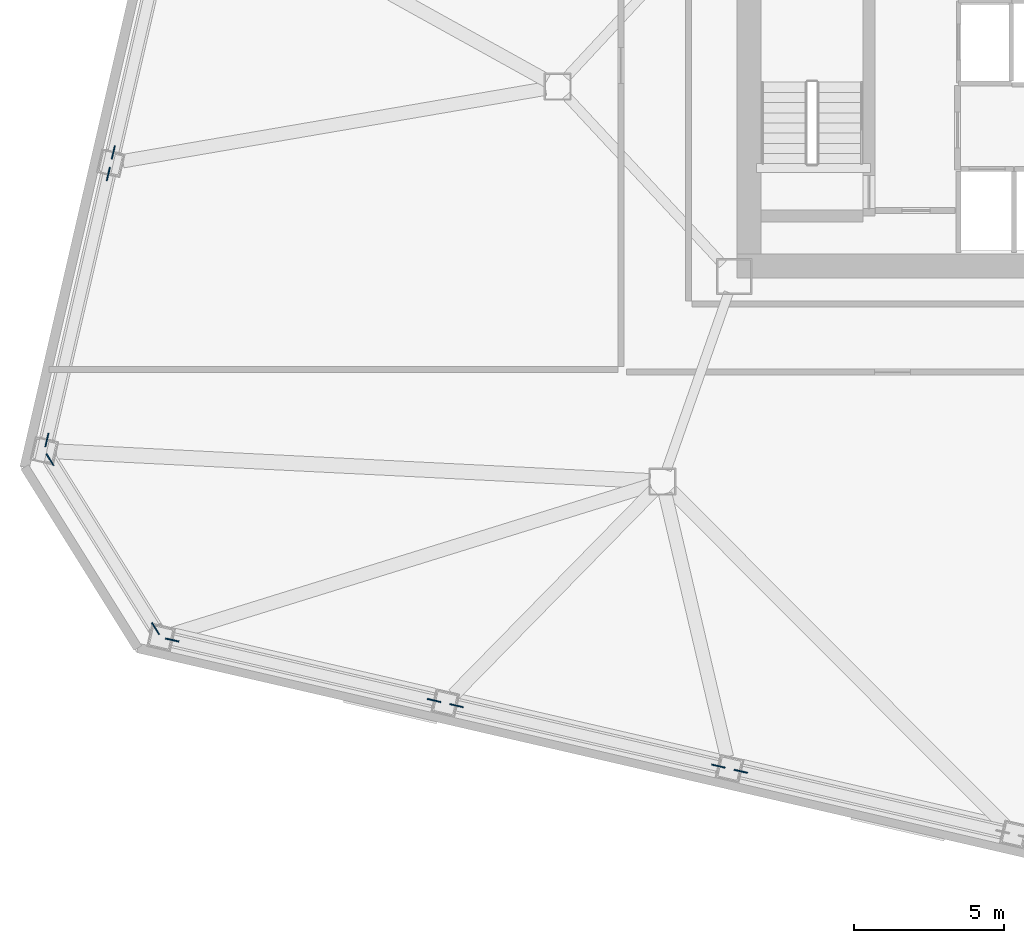
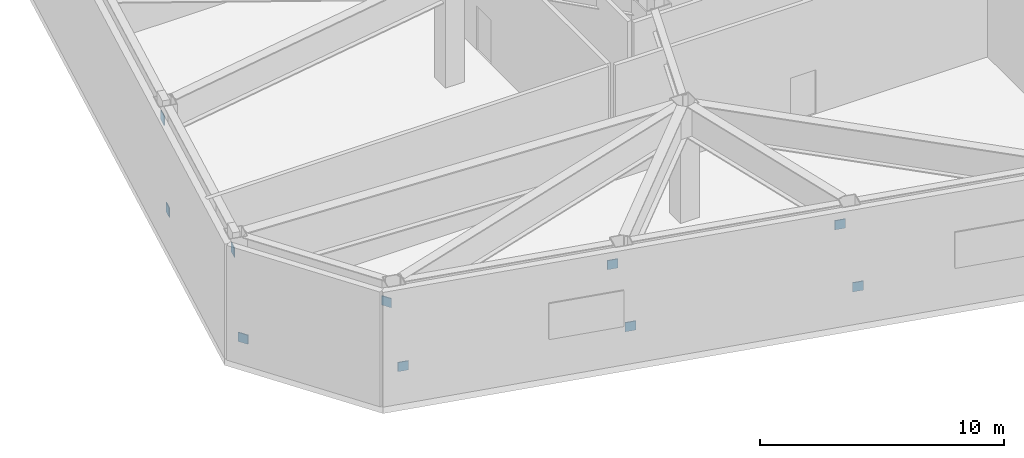
# One storey, part 9 of 15: 10 discrete accessories.
"""IFC4 building model written with IfcOpenShell, lengths in metres."""

from ifc_helpers import new_model, si_unit, direction, frame, origin, origin_2d, place, context, subcontext, project, spatial, rectangle, extrude, material, type_object, element, save


model = new_model("IFC4")

# Units and contexts
model_context = context("Model", 3, precision=1e-05, world=origin(), true_north=direction((0.0, 1.0)))
body_context = subcontext(model_context, "Body", "Model", "MODEL_VIEW")
ifc_project = project(units=[si_unit("LENGTHUNIT", "METRE"), si_unit("AREAUNIT", "SQUARE_METRE"), si_unit("VOLUMEUNIT", "CUBIC_METRE"), si_unit("PLANEANGLEUNIT", "RADIAN"), si_unit("MASSUNIT", "GRAM", prefix="KILO")], contexts=[model_context])

# Site, building, storey
site_placement = place(None, origin())
site = spatial("IfcSite", under=ifc_project, at=site_placement, CompositionType="ELEMENT")
building_placement = place(site_placement, origin())
building = spatial("IfcBuilding", under=site, at=building_placement, Name="Tavrogorsk Clinical Tower", CompositionType="ELEMENT")
storey_placement = place(building_placement, frame((0.0, 0.0, 33.39990234375)))
storey = spatial("IfcBuildingStorey", under=building, at=storey_placement, Name="L06", CompositionType="ELEMENT", Elevation=33.39990234375)

# Discrete accessories
ifc_material = material(Name="Structural steel S440", Category="steel")
discrete_accessory_type = type_object("IfcDiscreteAccessoryType", Name="GussetPlateBracket_25", PredefinedType="BRACKET", material=ifc_material)
for number, where, z_axis, x_axis, name in (
    (1, (-40.877685546875, -18.4921875, 1.159423828125), (0.0, 0.0, 1.0), (0.974370064785, -0.224951054344, 0.0), "L06 Brace Gusset Plate EXOBELT-L06-01-A"),
    (2, (-32.126220703125, -20.5126953125, 4.4208984375), (0.0, 0.0, 1.0), (0.974370064785, -0.224951054344, 0.0), "L06 Brace Gusset Plate EXOBELT-L06-01-B"),
    (3, (-31.37890625, -20.68505859375, 1.159423828125), (0.0, 0.0, 1.0), (0.974370064785, -0.224951054344, 0.0), "L06 Brace Gusset Plate EXOBELT-L06-02-A"),
    (4, (-22.627685546875, -22.70556640625, 4.4208984375), (0.0, 0.0, 1.0), (0.974370064785, -0.224951054344, 0.0), "L06 Brace Gusset Plate EXOBELT-L06-02-B"),
    (5, (-21.880126953125, -22.878173828125, 1.159423828125), (0.0, 0.0, 1.0), (0.974370064785, -0.224951054344, 0.0), "L06 Brace Gusset Plate EXOBELT-L06-03-A"),
    (6, (-42.846435546875, -2.19970703125, 4.392578125), (0.0, 0.0, 1.0), (-0.224951054344, -0.974370064785, 0.0), "L06 Brace Gusset Plate EXOBELT-L06-24-B"),
    (7, (-43.013916015625, -2.9248046875, 0.28759765625), (0.0, 0.0, 1.0), (-0.224951054344, -0.974370064785, 0.0), "L06 Brace Gusset Plate EXOBELT-L06-25-A"),
    (8, (-45.064697265625, -11.80712890625, 4.392578125), (0.0, 0.0, 1.0), (-0.224951054344, -0.974370064785, 0.0), "L06 Brace Gusset Plate EXOBELT-L06-25-B"),
    (9, (-44.963134765625, -12.4658203125, 0.3310546875), (0.0, 0.0, 1.0), (0.529919264233, -0.848048096156, 0.0), "L06 Brace Gusset Plate EXOBELT-L06-26-A"),
    (10, (-41.436279296875, -18.10986328125, 4.34912109375), (0.0, 0.0, 1.0), (0.529919264233, -0.848048096156, 0.0), "L06 Brace Gusset Plate EXOBELT-L06-26-B"),
):
    element("IfcDiscreteAccessory", number, at=place(storey_placement, frame(where, z_axis=z_axis, x_axis=x_axis)), inside=storey, type_object=discrete_accessory_type, Name=name, PredefinedType="BRACKET", context=body_context, shape_type="SweptSolid", body=[
        extrude(rectangle(XDim=0.4599609375, YDim=0.0400390625, at=origin_2d()), origin(), (0.0, 0.0, 1.0), 0.4599609375),
    ])

save(model, "model.ifc")
